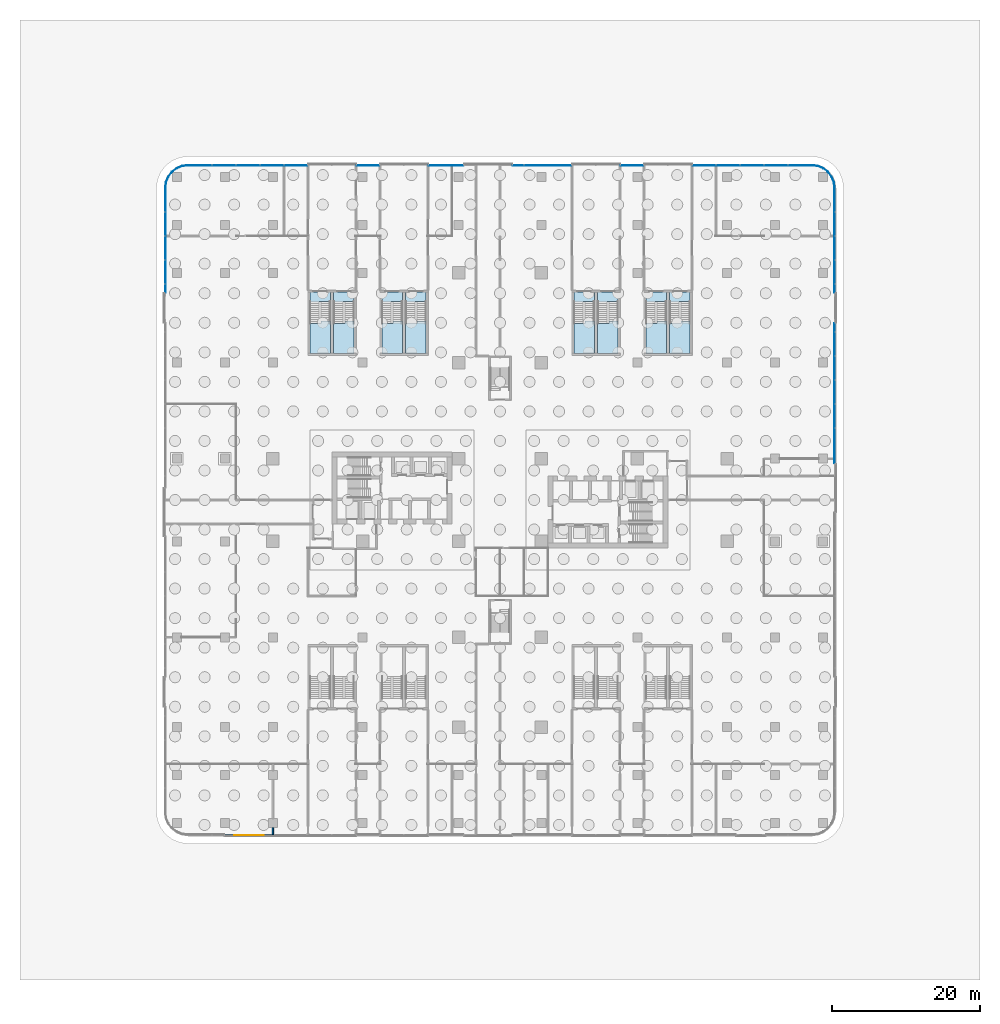
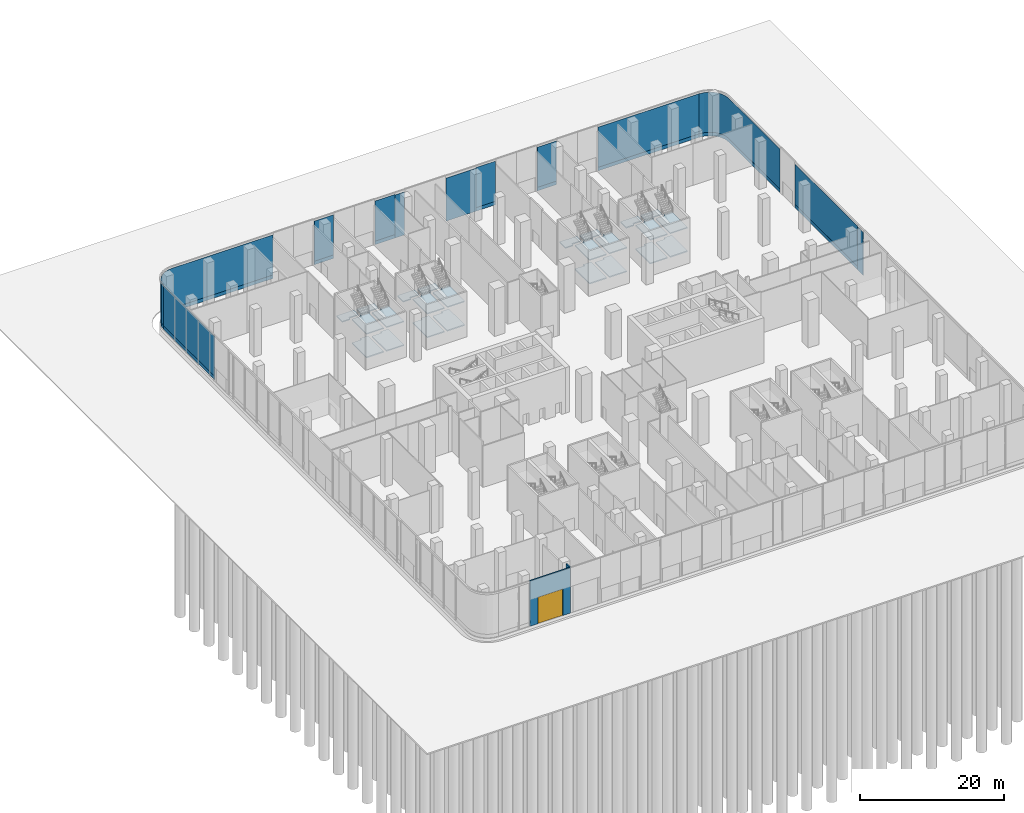
# One storey, part 15 of 27: 24 slabs, 21 plates, 2 walls, 1 door, 1 opening, 20 elements without a shape of their own.
"""IFC4 building model written with IfcOpenShell, lengths in metres."""

from ifc_helpers import new_model, si_unit, direction, frame, frame_2d, origin, place, context, subcontext, project, spatial, polyline, rectangle, outline, extrude, source, transform, mapped, material, layer, layer_set, type_object, element, fill, aggregate, save


model = new_model("IFC4")

# Units and contexts
model_context = context("Model", 3, precision=1e-05, world=origin(), true_north=direction((0.0, 1.0)))
body_context = subcontext(model_context, "Body", "Model", "MODEL_VIEW")
ifc_project = project(units=[si_unit("LENGTHUNIT", "METRE"), si_unit("AREAUNIT", "SQUARE_METRE"), si_unit("VOLUMEUNIT", "CUBIC_METRE"), si_unit("PLANEANGLEUNIT", "RADIAN"), si_unit("MASSUNIT", "GRAM", prefix="KILO")], contexts=[model_context])

# Site, building, storey
site_placement = place(None, origin())
site = spatial("IfcSite", under=ifc_project, at=site_placement, CompositionType="ELEMENT")
building_placement = place(site_placement, origin())
building = spatial("IfcBuilding", under=site, at=building_placement, Name="Trellis Farm Tower", CompositionType="ELEMENT")
storey_placement = place(building_placement, origin())
storey = spatial("IfcBuildingStorey", under=building, at=storey_placement, Name="L00", CompositionType="ELEMENT", Elevation=0.0)

# Stair, slab
ifc_material_1 = material(Name="Concrete C50/60", Category="concrete")
stair_type = type_object("IfcStairType", Name="PODIUM EXIT STAIR 48 RISERS 167 MM 1250 WIDE", PredefinedType="HALF_TURN_STAIR", material=ifc_material_1)
placement_1 = place(storey_placement, origin())
stair_1 = element("IfcStair", 1, at=placement_1, inside=storey, type_object=stair_type, Name="Podium exit stair STP1A", PredefinedType="HALF_TURN_STAIR")
ifc_layer_1 = layer(ifc_material_1, 0.179931640625)
ifc_layer_set_1 = layer_set([ifc_layer_1], Name="CORE STAIR LANDING 180 CONCRETE C50/60")
slab_type = type_object("IfcSlabType", Name="CORE STAIR LANDING 180 CONCRETE C50/60", PredefinedType="LANDING", material=ifc_layer_set_1)
placement_2 = place(storey_placement, frame((0.0, 0.0, 3.820068359375)))
slab_1 = element("IfcSlab", 2, at=placement_2, type_object=slab_type, Name="STP1A landing 2", PredefinedType="LANDING", context=body_context, shape_type="SweptSolid", body=[
    extrude(outline(polyline([(-24.5, 26.53759765625), (-25.75, 26.53759765625), (-25.75, 26.89990234375), (-25.75, 28.14990234375), (-22.969970703125, 28.14990234375), (-22.969970703125, 26.89990234375), (-22.969970703125, 26.889892578125), (-24.219970703125, 26.889892578125), (-24.219970703125, 26.89990234375), (-24.5, 26.89990234375), (-24.5, 26.53759765625)])), origin(), (0.0, 0.0, 1.0), 0.179931640625),
])

stair_2 = element("IfcStair", 3, at=placement_1, inside=storey, type_object=stair_type, Name="Podium exit stair STP1B", PredefinedType="HALF_TURN_STAIR")
slab_2 = element("IfcSlab", 4, at=placement_2, type_object=slab_type, Name="STP1B landing 2", PredefinedType="LANDING", context=body_context, shape_type="SweptSolid", body=[
    extrude(outline(polyline([(-21.280029296875, 26.53759765625), (-22.530029296875, 26.53759765625), (-22.530029296875, 26.89990234375), (-22.530029296875, 28.14990234375), (-19.75, 28.14990234375), (-19.75, 26.89990234375), (-19.75, 26.889892578125), (-21.0, 26.889892578125), (-21.0, 26.89990234375), (-21.280029296875, 26.89990234375), (-21.280029296875, 26.53759765625)])), origin(), (0.0, 0.0, 1.0), 0.179931640625),
])

stair_3 = element("IfcStair", 5, at=placement_1, inside=storey, type_object=stair_type, Name="Podium exit stair STP2A", PredefinedType="HALF_TURN_STAIR")
slab_3 = element("IfcSlab", 6, at=placement_2, type_object=slab_type, Name="STP2A landing 2", PredefinedType="LANDING", context=body_context, shape_type="SweptSolid", body=[
    extrude(outline(polyline([(-14.75, 26.53759765625), (-16.0, 26.53759765625), (-16.0, 26.89990234375), (-16.0, 28.14990234375), (-13.219970703125, 28.14990234375), (-13.219970703125, 26.89990234375), (-13.219970703125, 26.889892578125), (-14.469970703125, 26.889892578125), (-14.469970703125, 26.89990234375), (-14.75, 26.89990234375), (-14.75, 26.53759765625)])), origin(), (0.0, 0.0, 1.0), 0.179931640625),
])

stair_4 = element("IfcStair", 7, at=placement_1, inside=storey, type_object=stair_type, Name="Podium exit stair STP2B", PredefinedType="HALF_TURN_STAIR")
slab_4 = element("IfcSlab", 8, at=placement_2, type_object=slab_type, Name="STP2B landing 2", PredefinedType="LANDING", context=body_context, shape_type="SweptSolid", body=[
    extrude(outline(polyline([(-11.530029296875, 26.53759765625), (-12.780029296875, 26.53759765625), (-12.780029296875, 26.89990234375), (-12.780029296875, 28.14990234375), (-10.0, 28.14990234375), (-10.0, 26.89990234375), (-10.0, 26.889892578125), (-11.25, 26.889892578125), (-11.25, 26.89990234375), (-11.530029296875, 26.89990234375), (-11.530029296875, 26.53759765625)])), origin(), (0.0, 0.0, 1.0), 0.179931640625),
])

stair_5 = element("IfcStair", 9, at=placement_1, inside=storey, type_object=stair_type, Name="Podium exit stair STP3A", PredefinedType="HALF_TURN_STAIR")
slab_5 = element("IfcSlab", 10, at=placement_2, type_object=slab_type, Name="STP3A landing 2", PredefinedType="LANDING", context=body_context, shape_type="SweptSolid", body=[
    extrude(outline(polyline([(11.25, 26.53759765625), (10.0, 26.53759765625), (10.0, 26.89990234375), (10.0, 28.14990234375), (12.780029296875, 28.14990234375), (12.780029296875, 26.89990234375), (12.780029296875, 26.889892578125), (11.530029296875, 26.889892578125), (11.530029296875, 26.89990234375), (11.25, 26.89990234375), (11.25, 26.53759765625)])), origin(), (0.0, 0.0, 1.0), 0.179931640625),
])

stair_6 = element("IfcStair", 11, at=placement_1, inside=storey, type_object=stair_type, Name="Podium exit stair STP3B", PredefinedType="HALF_TURN_STAIR")
slab_6 = element("IfcSlab", 12, at=placement_2, type_object=slab_type, Name="STP3B landing 2", PredefinedType="LANDING", context=body_context, shape_type="SweptSolid", body=[
    extrude(outline(polyline([(14.469970703125, 26.53759765625), (13.219970703125, 26.53759765625), (13.219970703125, 26.89990234375), (13.219970703125, 28.14990234375), (16.0, 28.14990234375), (16.0, 26.89990234375), (16.0, 26.889892578125), (14.75, 26.889892578125), (14.75, 26.89990234375), (14.469970703125, 26.89990234375), (14.469970703125, 26.53759765625)])), origin(), (0.0, 0.0, 1.0), 0.179931640625),
])

stair_7 = element("IfcStair", 13, at=placement_1, inside=storey, type_object=stair_type, Name="Podium exit stair STP4A", PredefinedType="HALF_TURN_STAIR")
slab_7 = element("IfcSlab", 14, at=placement_2, type_object=slab_type, Name="STP4A landing 2", PredefinedType="LANDING", context=body_context, shape_type="SweptSolid", body=[
    extrude(outline(polyline([(21.0, 26.53759765625), (19.75, 26.53759765625), (19.75, 26.89990234375), (19.75, 28.14990234375), (22.530029296875, 28.14990234375), (22.530029296875, 26.89990234375), (22.530029296875, 26.889892578125), (21.280029296875, 26.889892578125), (21.280029296875, 26.89990234375), (21.0, 26.89990234375), (21.0, 26.53759765625)])), origin(), (0.0, 0.0, 1.0), 0.179931640625),
])

stair_8 = element("IfcStair", 15, at=placement_1, inside=storey, type_object=stair_type, Name="Podium exit stair STP4B", PredefinedType="HALF_TURN_STAIR")
slab_8 = element("IfcSlab", 16, at=placement_2, type_object=slab_type, Name="STP4B landing 2", PredefinedType="LANDING", context=body_context, shape_type="SweptSolid", body=[
    extrude(outline(polyline([(24.219970703125, 26.53759765625), (22.969970703125, 26.53759765625), (22.969970703125, 26.89990234375), (22.969970703125, 28.14990234375), (25.75, 28.14990234375), (25.75, 26.89990234375), (25.75, 26.889892578125), (24.5, 26.889892578125), (24.5, 26.89990234375), (24.219970703125, 26.89990234375), (24.219970703125, 26.53759765625)])), origin(), (0.0, 0.0, 1.0), 0.179931640625),
])

# Curtain wall, plate
ifc_material_2 = material(Name="Aluminium and glass curtain wall", Category="aluminium")
ifc_layer_2 = layer(ifc_material_2, 0.201904296875)
ifc_layer_set_2 = layer_set([ifc_layer_2], Name="SHOPFRONT CURTAIN WALL CW2")
curtain_wall_type_1 = type_object("IfcCurtainWallType", Name="SHOPFRONT CURTAIN WALL CW2", PredefinedType="NOTDEFINED", material=ifc_layer_set_2)
curtain_wall_1 = element("IfcCurtainWall", 17, at=placement_1, inside=storey, type_object=curtain_wall_type_1, Name="CW2 003", PredefinedType="NOTDEFINED")
ifc_material_3 = material(Name="Clear insulated glass", Category="glass")
ifc_layer_3 = layer(ifc_material_3, 0.052001953125)
ifc_layer_set_3 = layer_set([ifc_layer_3], Name="CW2 GLASS PANEL 52")
plate_type_1 = type_object("IfcPlateType", Name="CW2 GLASS PANEL 52", PredefinedType="CURTAIN_PANEL", material=ifc_layer_set_3)
placement_3 = place(storey_placement, frame((0.0, 0.0, 0.60009765625)))
plate_1 = element("IfcPlate", 18, at=placement_3, type_object=plate_type_1, Name="PL2 003", PredefinedType="CURTAIN_PANEL", context=body_context, shape_type="SweptSolid", body=[
    extrude(outline(polyline([(45.35009765625, 6.5), (45.35009765625, 23.919921875), (45.298095703125, 23.919921875), (45.298095703125, 6.5), (45.35009765625, 6.5)])), origin(), (0.0, 0.0, 1.0), 6.7998046875),
])

curtain_wall_2 = element("IfcCurtainWall", 19, at=placement_1, inside=storey, type_object=curtain_wall_type_1, Name="CW2 004", PredefinedType="NOTDEFINED")
plate_2 = element("IfcPlate", 20, at=placement_3, type_object=plate_type_1, Name="PL2 004", PredefinedType="CURTAIN_PANEL", context=body_context, shape_type="SweptSolid", body=[
    extrude(outline(polyline([(45.35009765625, 28.080078125), (45.35009765625, 42.240234375), (45.2431640625, 43.052001953125), (44.93359375, 43.79931640625), (44.441162109375, 44.441162109375), (43.79931640625, 44.93359375), (43.052001953125, 45.2431640625), (42.240234375, 45.35009765625), (42.23681640625, 45.298095703125), (43.038330078125, 45.1923828125), (43.773193359375, 44.88818359375), (44.404052734375, 44.404052734375), (44.88818359375, 43.773193359375), (45.1923828125, 43.038330078125), (45.298095703125, 42.23681640625), (45.298095703125, 28.080078125), (45.35009765625, 28.080078125)])), origin(), (0.0, 0.0, 1.0), 6.7998046875),
])

curtain_wall_3 = element("IfcCurtainWall", 21, at=placement_1, inside=storey, type_object=curtain_wall_type_1, Name="CW2 005", PredefinedType="NOTDEFINED")
plate_3 = element("IfcPlate", 22, at=placement_3, type_object=plate_type_1, Name="PL2 005", PredefinedType="CURTAIN_PANEL", context=body_context, shape_type="SweptSolid", body=[
    extrude(outline(polyline([(42.240234375, 45.35009765625), (26.080078125, 45.35009765625), (26.080078125, 45.298095703125), (42.23681640625, 45.298095703125), (42.240234375, 45.35009765625)])), origin(), (0.0, 0.0, 1.0), 6.7998046875),
])

curtain_wall_4 = element("IfcCurtainWall", 23, at=placement_1, inside=storey, type_object=curtain_wall_type_1, Name="CW2 006", PredefinedType="NOTDEFINED")
plate_4 = element("IfcPlate", 24, at=placement_3, type_object=plate_type_1, Name="PL2 006", PredefinedType="CURTAIN_PANEL", context=body_context, shape_type="SweptSolid", body=[
    extrude(outline(polyline([(19.419921875, 45.35009765625), (16.330078125, 45.35009765625), (16.330078125, 45.298095703125), (19.419921875, 45.298095703125), (19.419921875, 45.35009765625)])), origin(), (0.0, 0.0, 1.0), 6.7998046875),
])

curtain_wall_5 = element("IfcCurtainWall", 25, at=placement_1, inside=storey, type_object=curtain_wall_type_1, Name="CW2 007", PredefinedType="NOTDEFINED")
plate_5 = element("IfcPlate", 26, at=placement_3, type_object=plate_type_1, Name="PL2 007", PredefinedType="CURTAIN_PANEL", context=body_context, shape_type="SweptSolid", body=[
    extrude(outline(polyline([(9.669921875, 45.35009765625), (6.5, 45.35009765625), (6.5, 45.298095703125), (9.669921875, 45.298095703125), (9.669921875, 45.35009765625)])), origin(), (0.0, 0.0, 1.0), 6.7998046875),
])

curtain_wall_6 = element("IfcCurtainWall", 27, at=placement_1, inside=storey, type_object=curtain_wall_type_1, Name="CW2 008", PredefinedType="NOTDEFINED")
plate_6 = element("IfcPlate", 28, at=placement_3, type_object=plate_type_1, Name="PL2 008", PredefinedType="CURTAIN_PANEL", context=body_context, shape_type="SweptSolid", body=[
    extrude(outline(polyline([(-6.5, 45.35009765625), (-9.669921875, 45.35009765625), (-9.669921875, 45.298095703125), (-6.5, 45.298095703125), (-6.5, 45.35009765625)])), origin(), (0.0, 0.0, 1.0), 6.7998046875),
])

curtain_wall_7 = element("IfcCurtainWall", 29, at=placement_1, inside=storey, type_object=curtain_wall_type_1, Name="CW2 009", PredefinedType="NOTDEFINED")
plate_7 = element("IfcPlate", 30, at=placement_3, type_object=plate_type_1, Name="PL2 009", PredefinedType="CURTAIN_PANEL", context=body_context, shape_type="SweptSolid", body=[
    extrude(outline(polyline([(-16.330078125, 45.35009765625), (-19.419921875, 45.35009765625), (-19.419921875, 45.298095703125), (-16.330078125, 45.298095703125), (-16.330078125, 45.35009765625)])), origin(), (0.0, 0.0, 1.0), 6.7998046875),
])

curtain_wall_8 = element("IfcCurtainWall", 31, at=placement_1, inside=storey, type_object=curtain_wall_type_1, Name="CW2 010", PredefinedType="NOTDEFINED")
plate_8 = element("IfcPlate", 32, at=placement_3, type_object=plate_type_1, Name="PL2 010", PredefinedType="CURTAIN_PANEL", context=body_context, shape_type="SweptSolid", body=[
    extrude(outline(polyline([(-26.080078125, 45.35009765625), (-42.240234375, 45.35009765625), (-43.052001953125, 45.2431640625), (-43.79931640625, 44.93359375), (-44.441162109375, 44.441162109375), (-44.93359375, 43.79931640625), (-45.2431640625, 43.052001953125), (-45.35009765625, 42.240234375), (-45.298095703125, 42.23681640625), (-45.1923828125, 43.038330078125), (-44.88818359375, 43.773193359375), (-44.404052734375, 44.404052734375), (-43.773193359375, 44.88818359375), (-43.038330078125, 45.1923828125), (-42.23681640625, 45.298095703125), (-26.080078125, 45.298095703125), (-26.080078125, 45.35009765625)])), origin(), (0.0, 0.0, 1.0), 6.7998046875),
])

curtain_wall_9 = element("IfcCurtainWall", 33, at=placement_1, inside=storey, type_object=curtain_wall_type_1, Name="CW2 011", PredefinedType="NOTDEFINED")
plate_9 = element("IfcPlate", 34, at=placement_3, type_object=plate_type_1, Name="PL2 011", PredefinedType="CURTAIN_PANEL", context=body_context, shape_type="SweptSolid", body=[
    extrude(outline(polyline([(-45.35009765625, 42.240234375), (-45.35009765625, 28.080078125), (-45.298095703125, 28.080078125), (-45.298095703125, 42.23681640625), (-45.35009765625, 42.240234375)])), origin(), (0.0, 0.0, 1.0), 6.7998046875),
])

# Plate
ifc_material_4 = material(Name="Sandstone faced insulated panel", Category="masonry")
ifc_layer_4 = layer(ifc_material_4, 0.054931640625)
ifc_layer_set_4 = layer_set([ifc_layer_4], Name="CW2 STONE SPANDREL PANEL 55")
plate_type_2 = type_object("IfcPlateType", Name="CW2 STONE SPANDREL PANEL 55", PredefinedType="CURTAIN_PANEL", material=ifc_layer_set_4)
plate_10 = element("IfcPlate", 35, at=placement_1, type_object=plate_type_2, Name="PS2 003", PredefinedType="CURTAIN_PANEL", context=body_context, shape_type="SweptSolid", body=[
    extrude(outline(polyline([(45.35009765625, 6.5), (45.35009765625, 23.919921875), (45.294921875, 23.919921875), (45.294921875, 6.5), (45.35009765625, 6.5)])), origin(), (0.0, 0.0, 1.0), 0.60009765625),
])

aggregate(curtain_wall_1, [plate_1, plate_10])

plate_11 = element("IfcPlate", 36, at=placement_1, type_object=plate_type_2, Name="PS2 004", PredefinedType="CURTAIN_PANEL", context=body_context, shape_type="SweptSolid", body=[
    extrude(outline(polyline([(45.35009765625, 28.080078125), (45.35009765625, 42.240234375), (45.2431640625, 43.052001953125), (44.93359375, 43.79931640625), (44.441162109375, 44.441162109375), (43.79931640625, 44.93359375), (43.052001953125, 45.2431640625), (42.240234375, 45.35009765625), (42.236572265625, 45.294921875), (43.03759765625, 45.189453125), (43.771728515625, 44.885498046875), (44.40185546875, 44.40185546875), (44.885498046875, 43.771728515625), (45.189453125, 43.03759765625), (45.294921875, 42.236572265625), (45.294921875, 28.080078125), (45.35009765625, 28.080078125)])), origin(), (0.0, 0.0, 1.0), 0.60009765625),
])

aggregate(curtain_wall_2, [plate_2, plate_11])

plate_12 = element("IfcPlate", 37, at=placement_1, type_object=plate_type_2, Name="PS2 005", PredefinedType="CURTAIN_PANEL", context=body_context, shape_type="SweptSolid", body=[
    extrude(outline(polyline([(42.240234375, 45.35009765625), (26.080078125, 45.35009765625), (26.080078125, 45.294921875), (42.236572265625, 45.294921875), (42.240234375, 45.35009765625)])), origin(), (0.0, 0.0, 1.0), 0.60009765625),
])

aggregate(curtain_wall_3, [plate_3, plate_12])

plate_13 = element("IfcPlate", 38, at=placement_1, type_object=plate_type_2, Name="PS2 006", PredefinedType="CURTAIN_PANEL", context=body_context, shape_type="SweptSolid", body=[
    extrude(outline(polyline([(19.419921875, 45.35009765625), (16.330078125, 45.35009765625), (16.330078125, 45.294921875), (19.419921875, 45.294921875), (19.419921875, 45.35009765625)])), origin(), (0.0, 0.0, 1.0), 0.60009765625),
])

aggregate(curtain_wall_4, [plate_4, plate_13])

plate_14 = element("IfcPlate", 39, at=placement_1, type_object=plate_type_2, Name="PS2 007", PredefinedType="CURTAIN_PANEL", context=body_context, shape_type="SweptSolid", body=[
    extrude(outline(polyline([(9.669921875, 45.35009765625), (6.5, 45.35009765625), (6.5, 45.294921875), (9.669921875, 45.294921875), (9.669921875, 45.35009765625)])), origin(), (0.0, 0.0, 1.0), 0.60009765625),
])

aggregate(curtain_wall_5, [plate_5, plate_14])

plate_15 = element("IfcPlate", 40, at=placement_1, type_object=plate_type_2, Name="PS2 008", PredefinedType="CURTAIN_PANEL", context=body_context, shape_type="SweptSolid", body=[
    extrude(outline(polyline([(-6.5, 45.35009765625), (-9.669921875, 45.35009765625), (-9.669921875, 45.294921875), (-6.5, 45.294921875), (-6.5, 45.35009765625)])), origin(), (0.0, 0.0, 1.0), 0.60009765625),
])

aggregate(curtain_wall_6, [plate_6, plate_15])

plate_16 = element("IfcPlate", 41, at=placement_1, type_object=plate_type_2, Name="PS2 009", PredefinedType="CURTAIN_PANEL", context=body_context, shape_type="SweptSolid", body=[
    extrude(outline(polyline([(-16.330078125, 45.35009765625), (-19.419921875, 45.35009765625), (-19.419921875, 45.294921875), (-16.330078125, 45.294921875), (-16.330078125, 45.35009765625)])), origin(), (0.0, 0.0, 1.0), 0.60009765625),
])

aggregate(curtain_wall_7, [plate_7, plate_16])

plate_17 = element("IfcPlate", 42, at=placement_1, type_object=plate_type_2, Name="PS2 010", PredefinedType="CURTAIN_PANEL", context=body_context, shape_type="SweptSolid", body=[
    extrude(outline(polyline([(-26.080078125, 45.35009765625), (-42.240234375, 45.35009765625), (-43.052001953125, 45.2431640625), (-43.79931640625, 44.93359375), (-44.441162109375, 44.441162109375), (-44.93359375, 43.79931640625), (-45.2431640625, 43.052001953125), (-45.35009765625, 42.240234375), (-45.294921875, 42.236572265625), (-45.189453125, 43.03759765625), (-44.885498046875, 43.771728515625), (-44.40185546875, 44.40185546875), (-43.771728515625, 44.885498046875), (-43.03759765625, 45.189453125), (-42.236572265625, 45.294921875), (-26.080078125, 45.294921875), (-26.080078125, 45.35009765625)])), origin(), (0.0, 0.0, 1.0), 0.60009765625),
])

aggregate(curtain_wall_8, [plate_8, plate_17])

plate_18 = element("IfcPlate", 43, at=placement_1, type_object=plate_type_2, Name="PS2 011", PredefinedType="CURTAIN_PANEL", context=body_context, shape_type="SweptSolid", body=[
    extrude(outline(polyline([(-45.35009765625, 42.240234375), (-45.35009765625, 28.080078125), (-45.294921875, 28.080078125), (-45.294921875, 42.236572265625), (-45.35009765625, 42.240234375)])), origin(), (0.0, 0.0, 1.0), 0.60009765625),
])

aggregate(curtain_wall_9, [plate_9, plate_18])

# Curtain wall, plate
ifc_layer_5 = layer(ifc_material_2, 0.2099609375)
ifc_layer_set_5 = layer_set([ifc_layer_5], Name="LOBBY CURTAIN WALL CW4")
curtain_wall_type_2 = type_object("IfcCurtainWallType", Name="LOBBY CURTAIN WALL CW4", PredefinedType="NOTDEFINED", material=ifc_layer_set_5)
curtain_wall_10 = element("IfcCurtainWall", 44, at=placement_1, inside=storey, type_object=curtain_wall_type_2, Name="CW4 002", PredefinedType="NOTDEFINED")
ifc_layer_6 = layer(ifc_material_3, 0.06005859375)
ifc_layer_set_6 = layer_set([ifc_layer_6], Name="CW4 GLASS PANEL 60")
plate_type_3 = type_object("IfcPlateType", Name="CW4 GLASS PANEL 60", PredefinedType="CURTAIN_PANEL", material=ifc_layer_set_6)
plate_19 = element("IfcPlate", 45, at=placement_1, type_object=plate_type_3, Name="PL4 002", PredefinedType="CURTAIN_PANEL", context=body_context, shape_type="SweptSolid", body=[
    extrude(outline(polyline([(45.35009765625, 4.97509765625), (45.35009765625, 6.5), (45.2900390625, 6.5), (45.2900390625, 4.97509765625), (45.35009765625, 4.97509765625)])), origin(), (0.0, 0.0, 1.0), 7.300048828125),
])
aggregate(curtain_wall_10, [plate_19])

curtain_wall_11 = element("IfcCurtainWall", 46, at=placement_1, inside=storey, type_object=curtain_wall_type_2, Name="CW4 003", PredefinedType="NOTDEFINED")
plate_20 = element("IfcPlate", 47, at=placement_1, type_object=plate_type_3, Name="PL4 003", PredefinedType="CURTAIN_PANEL", context=body_context, shape_type="SweptSolid", body=[
    extrude(outline(polyline([(6.5, 45.35009765625), (1.72509765625, 45.35009765625), (1.72509765625, 45.2900390625), (6.5, 45.2900390625), (6.5, 45.35009765625)])), origin(), (0.0, 0.0, 1.0), 7.300048828125),
])
aggregate(curtain_wall_11, [plate_20])

curtain_wall_12 = element("IfcCurtainWall", 48, at=placement_1, inside=storey, type_object=curtain_wall_type_2, Name="CW4 004", PredefinedType="NOTDEFINED")
plate_21 = element("IfcPlate", 49, at=placement_1, type_object=plate_type_3, Name="PL4 004", PredefinedType="CURTAIN_PANEL", context=body_context, shape_type="SweptSolid", body=[
    extrude(outline(polyline([(-4.97509765625, 45.35009765625), (-6.5, 45.35009765625), (-6.5, 45.2900390625), (-4.97509765625, 45.2900390625), (-4.97509765625, 45.35009765625)])), origin(), (0.0, 0.0, 1.0), 7.300048828125),
])
aggregate(curtain_wall_12, [plate_21])

# Slab
shared_shape_1 = source(origin(), body_context, "Body", "SweptSolid", [
    extrude(outline(polyline([(-22.969970703125, 19.85009765625), (-25.75, 19.85009765625), (-25.75, 23.875), (-25.75, 23.885009765625), (-24.5, 23.885009765625), (-24.5, 23.875), (-24.219970703125, 23.875), (-24.219970703125, 24.237548828125), (-22.969970703125, 24.237548828125), (-22.969970703125, 23.875), (-22.969970703125, 19.85009765625)])), origin(), (0.0, 0.0, 1.0), 0.179931640625),
])
placement_4 = place(storey_placement, frame((0.0, 0.0, 1.820068359375)))
slab_9 = element("IfcSlab", 50, at=placement_4, type_object=slab_type, Name="STP1A landing 1", PredefinedType="LANDING", context=body_context, shape_type="MappedRepresentation", body=[
    mapped(shared_shape_1, transform((0.0, 0.0, 0.0))),
])

placement_5 = place(storey_placement, frame((0.0, 0.0, 5.820068359375)))
slab_10 = element("IfcSlab", 51, at=placement_5, type_object=slab_type, Name="STP1A landing 3", PredefinedType="LANDING", context=body_context, shape_type="MappedRepresentation", body=[
    mapped(shared_shape_1, transform((0.0, 0.0, 0.0))),
])

aggregate(stair_1, [slab_9, slab_1, slab_10])

shared_shape_2 = source(origin(), body_context, "Body", "SweptSolid", [
    extrude(outline(polyline([(-19.75, 19.85009765625), (-22.530029296875, 19.85009765625), (-22.530029296875, 23.875), (-22.530029296875, 23.885009765625), (-21.280029296875, 23.885009765625), (-21.280029296875, 23.875), (-21.0, 23.875), (-21.0, 24.237548828125), (-19.75, 24.237548828125), (-19.75, 23.875), (-19.75, 19.85009765625)])), origin(), (0.0, 0.0, 1.0), 0.179931640625),
])
slab_11 = element("IfcSlab", 52, at=placement_4, type_object=slab_type, Name="STP1B landing 1", PredefinedType="LANDING", context=body_context, shape_type="MappedRepresentation", body=[
    mapped(shared_shape_2, transform((0.0, 0.0, 0.0))),
])

slab_12 = element("IfcSlab", 53, at=placement_5, type_object=slab_type, Name="STP1B landing 3", PredefinedType="LANDING", context=body_context, shape_type="MappedRepresentation", body=[
    mapped(shared_shape_2, transform((0.0, 0.0, 0.0))),
])

aggregate(stair_2, [slab_11, slab_2, slab_12])

shared_shape_3 = source(origin(), body_context, "Body", "SweptSolid", [
    extrude(outline(polyline([(-13.219970703125, 19.85009765625), (-16.0, 19.85009765625), (-16.0, 23.875), (-16.0, 23.885009765625), (-14.75, 23.885009765625), (-14.75, 23.875), (-14.469970703125, 23.875), (-14.469970703125, 24.237548828125), (-13.219970703125, 24.237548828125), (-13.219970703125, 23.875), (-13.219970703125, 19.85009765625)])), origin(), (0.0, 0.0, 1.0), 0.179931640625),
])
slab_13 = element("IfcSlab", 54, at=placement_4, type_object=slab_type, Name="STP2A landing 1", PredefinedType="LANDING", context=body_context, shape_type="MappedRepresentation", body=[
    mapped(shared_shape_3, transform((0.0, 0.0, 0.0))),
])

slab_14 = element("IfcSlab", 55, at=placement_5, type_object=slab_type, Name="STP2A landing 3", PredefinedType="LANDING", context=body_context, shape_type="MappedRepresentation", body=[
    mapped(shared_shape_3, transform((0.0, 0.0, 0.0))),
])

aggregate(stair_3, [slab_13, slab_3, slab_14])

shared_shape_4 = source(origin(), body_context, "Body", "SweptSolid", [
    extrude(outline(polyline([(-10.0, 19.85009765625), (-12.780029296875, 19.85009765625), (-12.780029296875, 23.875), (-12.780029296875, 23.885009765625), (-11.530029296875, 23.885009765625), (-11.530029296875, 23.875), (-11.25, 23.875), (-11.25, 24.237548828125), (-10.0, 24.237548828125), (-10.0, 23.875), (-10.0, 19.85009765625)])), origin(), (0.0, 0.0, 1.0), 0.179931640625),
])
slab_15 = element("IfcSlab", 56, at=placement_4, type_object=slab_type, Name="STP2B landing 1", PredefinedType="LANDING", context=body_context, shape_type="MappedRepresentation", body=[
    mapped(shared_shape_4, transform((0.0, 0.0, 0.0))),
])

slab_16 = element("IfcSlab", 57, at=placement_5, type_object=slab_type, Name="STP2B landing 3", PredefinedType="LANDING", context=body_context, shape_type="MappedRepresentation", body=[
    mapped(shared_shape_4, transform((0.0, 0.0, 0.0))),
])

aggregate(stair_4, [slab_15, slab_4, slab_16])

shared_shape_5 = source(origin(), body_context, "Body", "SweptSolid", [
    extrude(outline(polyline([(12.780029296875, 19.85009765625), (10.0, 19.85009765625), (10.0, 23.875), (10.0, 23.885009765625), (11.25, 23.885009765625), (11.25, 23.875), (11.530029296875, 23.875), (11.530029296875, 24.237548828125), (12.780029296875, 24.237548828125), (12.780029296875, 23.875), (12.780029296875, 19.85009765625)])), origin(), (0.0, 0.0, 1.0), 0.179931640625),
])
slab_17 = element("IfcSlab", 58, at=placement_4, type_object=slab_type, Name="STP3A landing 1", PredefinedType="LANDING", context=body_context, shape_type="MappedRepresentation", body=[
    mapped(shared_shape_5, transform((0.0, 0.0, 0.0))),
])

slab_18 = element("IfcSlab", 59, at=placement_5, type_object=slab_type, Name="STP3A landing 3", PredefinedType="LANDING", context=body_context, shape_type="MappedRepresentation", body=[
    mapped(shared_shape_5, transform((0.0, 0.0, 0.0))),
])

aggregate(stair_5, [slab_17, slab_5, slab_18])

shared_shape_6 = source(origin(), body_context, "Body", "SweptSolid", [
    extrude(outline(polyline([(16.0, 19.85009765625), (13.219970703125, 19.85009765625), (13.219970703125, 23.875), (13.219970703125, 23.885009765625), (14.469970703125, 23.885009765625), (14.469970703125, 23.875), (14.75, 23.875), (14.75, 24.237548828125), (16.0, 24.237548828125), (16.0, 23.875), (16.0, 19.85009765625)])), origin(), (0.0, 0.0, 1.0), 0.179931640625),
])
slab_19 = element("IfcSlab", 60, at=placement_4, type_object=slab_type, Name="STP3B landing 1", PredefinedType="LANDING", context=body_context, shape_type="MappedRepresentation", body=[
    mapped(shared_shape_6, transform((0.0, 0.0, 0.0))),
])

slab_20 = element("IfcSlab", 61, at=placement_5, type_object=slab_type, Name="STP3B landing 3", PredefinedType="LANDING", context=body_context, shape_type="MappedRepresentation", body=[
    mapped(shared_shape_6, transform((0.0, 0.0, 0.0))),
])

aggregate(stair_6, [slab_19, slab_6, slab_20])

shared_shape_7 = source(origin(), body_context, "Body", "SweptSolid", [
    extrude(outline(polyline([(22.530029296875, 19.85009765625), (19.75, 19.85009765625), (19.75, 23.875), (19.75, 23.885009765625), (21.0, 23.885009765625), (21.0, 23.875), (21.280029296875, 23.875), (21.280029296875, 24.237548828125), (22.530029296875, 24.237548828125), (22.530029296875, 23.875), (22.530029296875, 19.85009765625)])), origin(), (0.0, 0.0, 1.0), 0.179931640625),
])
slab_21 = element("IfcSlab", 62, at=placement_4, type_object=slab_type, Name="STP4A landing 1", PredefinedType="LANDING", context=body_context, shape_type="MappedRepresentation", body=[
    mapped(shared_shape_7, transform((0.0, 0.0, 0.0))),
])

slab_22 = element("IfcSlab", 63, at=placement_5, type_object=slab_type, Name="STP4A landing 3", PredefinedType="LANDING", context=body_context, shape_type="MappedRepresentation", body=[
    mapped(shared_shape_7, transform((0.0, 0.0, 0.0))),
])

aggregate(stair_7, [slab_21, slab_7, slab_22])

shared_shape_8 = source(origin(), body_context, "Body", "SweptSolid", [
    extrude(outline(polyline([(25.75, 19.85009765625), (22.969970703125, 19.85009765625), (22.969970703125, 23.875), (22.969970703125, 23.885009765625), (24.219970703125, 23.885009765625), (24.219970703125, 23.875), (24.5, 23.875), (24.5, 24.237548828125), (25.75, 24.237548828125), (25.75, 23.875), (25.75, 19.85009765625)])), origin(), (0.0, 0.0, 1.0), 0.179931640625),
])
slab_23 = element("IfcSlab", 64, at=placement_4, type_object=slab_type, Name="STP4B landing 1", PredefinedType="LANDING", context=body_context, shape_type="MappedRepresentation", body=[
    mapped(shared_shape_8, transform((0.0, 0.0, 0.0))),
])

slab_24 = element("IfcSlab", 65, at=placement_5, type_object=slab_type, Name="STP4B landing 3", PredefinedType="LANDING", context=body_context, shape_type="MappedRepresentation", body=[
    mapped(shared_shape_8, transform((0.0, 0.0, 0.0))),
])

aggregate(stair_8, [slab_23, slab_8, slab_24])

# Wall
ifc_material_5 = material(Name="Lightweight blockwork, plastered", Category="masonry")
ifc_layer_7 = layer(ifc_material_5, 0.199951171875)
ifc_layer_set_7 = layer_set([ifc_layer_7], Name="BLOCK WALL 200 EI 120")
wall_type_1 = type_object("IfcWallType", Name="BLOCK WALL 200 EI 120", PredefinedType="PARTITIONING", material=ifc_layer_set_7)
wall_1_placement = place(storey_placement, frame((-30.75, -45.300048828125, 0.0), z_axis=(0.0, 0.0, 1.0), x_axis=(0.0, 1.0, 0.0)))
element("IfcWall", 66, at=wall_1_placement, inside=storey, type_object=wall_type_1, Name="Partition PW3", PredefinedType="PARTITIONING", context=body_context, shape_type="SweptSolid", body=[
    extrude(rectangle(XDim=0.949951171875, YDim=0.199951171875, at=frame_2d((0.47509765625, 0.0))), origin(), (0.0, 0.0, 1.0), 7.699951171875),
])

# Wall, opening, door
ifc_material_6 = material(Name="Sandstone faced insulated wall", Category="masonry")
ifc_layer_8 = layer(ifc_material_6, 0.199951171875)
ifc_layer_set_8 = layer_set([ifc_layer_8], Name="EXTERNAL INFILL WALL 200")
wall_type_2 = type_object("IfcWallType", Name="EXTERNAL INFILL WALL 200", PredefinedType="SOLIDWALL", material=ifc_layer_set_8)
shared_shape_9 = source(origin(), body_context, "Body", "SweptSolid", [
    extrude(rectangle(XDim=6.5, YDim=0.199951171875, at=frame_2d((3.25, 0.0))), origin(), (0.0, 0.0, 1.0), 7.699951171875),
])
wall_2_placement = place(storey_placement, frame((-30.75, -45.39990234375, 0.0), z_axis=(0.0, 0.0, 1.0), x_axis=(-1.0, 0.0, 0.0)))
wall_2 = element("IfcWall", 67, at=wall_2_placement, inside=storey, type_object=wall_type_2, Name="EW1 16", PredefinedType="SOLIDWALL", context=body_context, shape_type="MappedRepresentation", body=[
    mapped(shared_shape_9, transform((0.0, 0.0, 0.0))),
])
shared_shape_10 = source(origin(), body_context, "Body", "SweptSolid", [
    extrude(rectangle(XDim=4.0, YDim=4.5, at=frame_2d((2.0, 2.25))), frame((0.0, 0.110107421875, 0.0), z_axis=(0.0, -1.0, 0.0), x_axis=(1.0, 0.0, 0.0)), (0.0, 0.0, 1.0), 0.22021484375),
])
opening_placement = place(wall_2_placement, frame((1.25, 0.0, 0.0)))
opening = element("IfcOpeningElement", 68, at=opening_placement, cuts=wall_2, Name="Opening ED5", PredefinedType="OPENING", context=body_context, shape_type="MappedRepresentation", body=[
    mapped(shared_shape_10, transform((0.0, 0.0, 0.0))),
])
ifc_material_7 = material(Name="Steel roller shutter", Category="steel")
door_type = type_object("IfcDoorType", Name="LOADING DOOR 4000x4500", OperationType="ROLLINGUP", PredefinedType="DOOR", material=ifc_material_7)
shared_shape_11 = source(origin(), body_context, "Body", "SweptSolid", [
    extrude(rectangle(XDim=4.0, YDim=4.5, at=frame_2d((2.0, 2.25))), frame((0.0, 0.02490234375, 0.0), z_axis=(0.0, -1.0, 0.0), x_axis=(1.0, 0.0, 0.0)), (0.0, 0.0, 1.0), 0.050048828125),
])
door_placement = place(opening_placement, origin())
door = element("IfcDoor", 69, at=door_placement, inside=storey, type_object=door_type, Name="Loading door", OperationType="ROLLINGUP", OverallHeight=4.5, OverallWidth=4.0, PredefinedType="DOOR", context=body_context, shape_type="MappedRepresentation", body=[
    mapped(shared_shape_11, transform((0.0, 0.0, 0.0))),
])
fill(opening, door)

save(model, "model.ifc")
